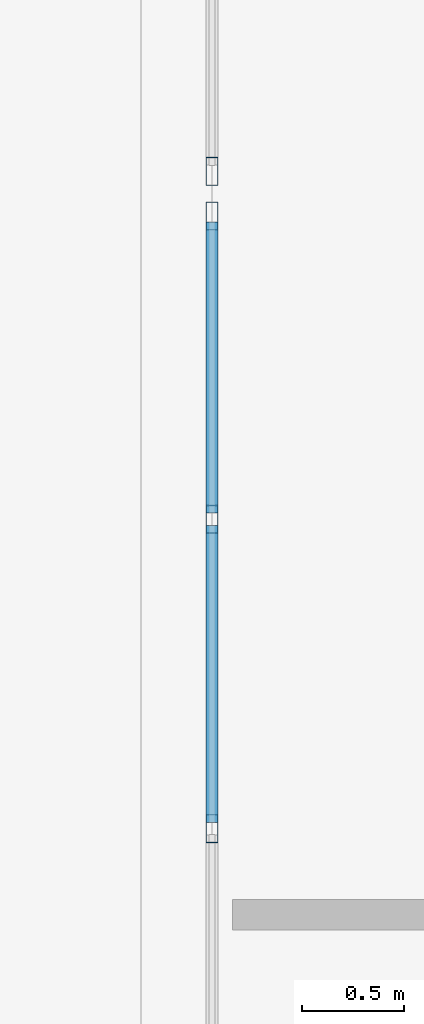
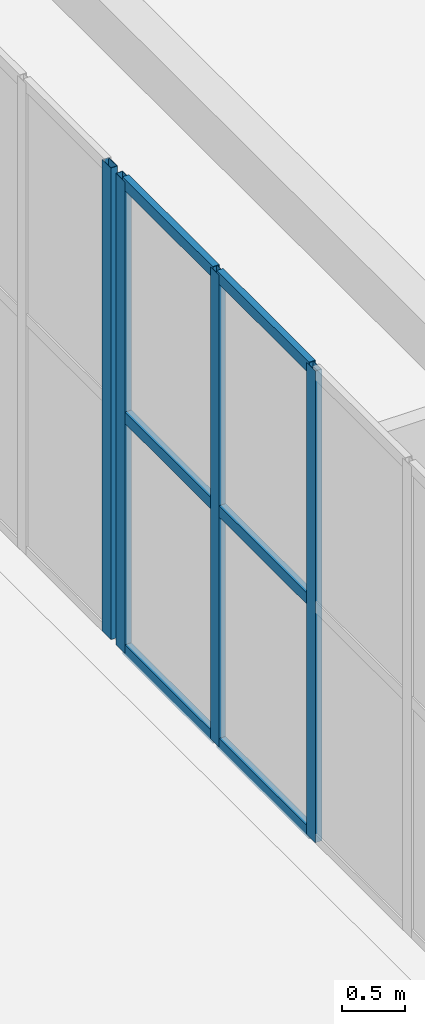
# One storey, part 54 of 158: 10 members, 2 elements without a shape of their own.
"""IFC4 building model written with IfcOpenShell, lengths in metres."""

from ifc_helpers import new_model, si_unit, direction, frame, origin, origin_2d, place, context, subcontext, project, spatial, hollow_rectangle, extrude, material, layer, layer_set, material_profile, profile_set, type_object, element, aggregate, save


model = new_model("IFC4")

# Units and contexts
model_context = context("Model", 3, precision=1e-05, world=origin(), true_north=direction((0.0, 1.0)))
body_context = subcontext(model_context, "Body", "Model", "MODEL_VIEW")
ifc_project = project(units=[si_unit("LENGTHUNIT", "METRE"), si_unit("AREAUNIT", "SQUARE_METRE"), si_unit("VOLUMEUNIT", "CUBIC_METRE"), si_unit("PLANEANGLEUNIT", "RADIAN"), si_unit("MASSUNIT", "GRAM", prefix="KILO")], contexts=[model_context])

# Site, building, storey
site_placement = place(None, origin())
site = spatial("IfcSite", under=ifc_project, at=site_placement, CompositionType="ELEMENT")
building_placement = place(site_placement, origin())
building = spatial("IfcBuilding", under=site, at=building_placement, Name="Trelvath General Hospital", CompositionType="ELEMENT")
storey_placement = place(building_placement, frame((0.0, 0.0, 8.10009765625)))
storey = spatial("IfcBuildingStorey", under=building, at=storey_placement, Name="L02", CompositionType="ELEMENT", Elevation=8.10009765625)

# Curtain wall, members
ifc_material_1 = material(Name="Anodised aluminium and low-E glass", Category="aluminium")
ifc_layer_1 = layer(ifc_material_1, 0.139892578125)
ifc_layer_set_1 = layer_set([ifc_layer_1], Name="Anodised aluminium and low-E glass")
curtain_wall_type_1 = type_object("IfcCurtainWallType", Name="CW CrystalCube 914 456 14", PredefinedType="USERDEFINED", material=ifc_layer_set_1)
curtain_wall_1_placement = place(storey_placement, origin())
curtain_wall_1 = element("IfcCurtainWall", 1, at=curtain_wall_1_placement, inside=storey, type_object=curtain_wall_type_1, Name="Crystal Cube Curtain Wall CUBE-W-T1 W5 L02", ObjectType="Unitised Glazed Curtain Wall", PredefinedType="USERDEFINED")
ifc_material_2 = material(Name="Anodised aluminium", Category="aluminium")
ifc_material_profile_1 = material_profile(ifc_material_2, hollow_rectangle(XDim=0.06005859375, YDim=0.139892578125, WallThickness=0.00390625, at=origin_2d()), Name="RHS60x140x4")
ifc_profile_set_1 = profile_set([ifc_material_profile_1], Name="Anodised aluminium")
member_type_1 = type_object("IfcMemberType", Name="CurtainMullion 60x140", PredefinedType="MULLION", material=ifc_profile_set_1)
member_1_placement = place(storey_placement, frame((53.199951171875, 64.0732421875, 0.0), z_axis=(0.0, 0.0, 1.0), x_axis=(-1.0, 0.0, 0.0)))
member_1 = element("IfcMember", 2, at=member_1_placement, type_object=member_type_1, Name="CW-200 mullion 5", PredefinedType="MULLION", context=body_context, shape_type="SweptSolid", body=[
    extrude(hollow_rectangle(XDim=0.06005859375, YDim=0.139892578125, WallThickness=0.00390625, at=origin_2d()), origin(), (0.0, 0.0, 1.0), 4.559814453125),
])
member_2_placement = place(storey_placement, frame((53.199951171875, 65.5966796875, 0.0), z_axis=(0.0, 0.0, 1.0), x_axis=(-1.0, 0.0, 0.0)))
member_2 = element("IfcMember", 3, at=member_2_placement, type_object=member_type_1, Name="CW-200 mullion 6", PredefinedType="MULLION", context=body_context, shape_type="SweptSolid", body=[
    extrude(hollow_rectangle(XDim=0.06005859375, YDim=0.139892578125, WallThickness=0.00390625, at=origin_2d()), origin(), (0.0, 0.0, 1.0), 4.559814453125),
])
member_3_placement = place(storey_placement, frame((53.199951171875, 67.090087890625, 0.0), z_axis=(0.0, 0.0, 1.0), x_axis=(-1.0, 0.0, 0.0)))
member_3 = element("IfcMember", 4, at=member_3_placement, type_object=member_type_1, Name="CW-200 mullion 7", PredefinedType="MULLION", context=body_context, shape_type="SweptSolid", body=[
    extrude(hollow_rectangle(XDim=0.06005859375, YDim=0.139892578125, WallThickness=0.00390625, at=origin_2d()), origin(), (0.0, 0.0, 1.0), 4.559814453125),
])

# Curtain wall, member
ifc_material_3 = material(Name="Anodised aluminium and low-E glass", Category="aluminium")
ifc_layer_2 = layer(ifc_material_3, 0.139892578125)
ifc_layer_set_2 = layer_set([ifc_layer_2], Name="Anodised aluminium and low-E glass")
curtain_wall_type_2 = type_object("IfcCurtainWallType", Name="CW CrystalCube 824 456 14", PredefinedType="USERDEFINED", material=ifc_layer_set_2)
curtain_wall_2_placement = place(storey_placement, origin())
curtain_wall_2 = element("IfcCurtainWall", 5, at=curtain_wall_2_placement, inside=storey, type_object=curtain_wall_type_2, Name="Crystal Cube Curtain Wall CUBE-W-T1 W6 L02", ObjectType="Unitised Glazed Curtain Wall", PredefinedType="USERDEFINED")
member_4_placement = place(storey_placement, frame((53.199951171875, 67.31005859375, 0.0), z_axis=(0.0, 0.0, 1.0), x_axis=(-1.0, 0.0, 0.0)))
member_4 = element("IfcMember", 6, at=member_4_placement, type_object=member_type_1, Name="CW-201 mullion 1", PredefinedType="MULLION", context=body_context, shape_type="SweptSolid", body=[
    extrude(hollow_rectangle(XDim=0.06005859375, YDim=0.139892578125, WallThickness=0.00390625, at=origin_2d()), origin(), (0.0, 0.0, 1.0), 4.559814453125),
])
aggregate(curtain_wall_2, [member_4])

# Member
ifc_material_4 = material(Name="Anodised aluminium", Category="aluminium")
ifc_material_profile_2 = material_profile(ifc_material_4, hollow_rectangle(XDim=0.06005859375, YDim=0.110107421875, WallThickness=0.00390625, at=origin_2d()), Name="RHS60x110x4")
ifc_profile_set_2 = profile_set([ifc_material_profile_2], Name="Anodised aluminium")
member_type_2 = type_object("IfcMemberType", Name="CurtainTransom 60x110", PredefinedType="USERDEFINED", material=ifc_profile_set_2)
member_5_placement = place(storey_placement, frame((53.199951171875, 64.103271484375, 0.02978515625), z_axis=(0.0, 1.0, 0.0), x_axis=(-1.0, 0.0, 0.0)))
member_5 = element("IfcMember", 7, at=member_5_placement, type_object=member_type_2, Name="CW-200 transom 5.1", ObjectType="TRANSOM", PredefinedType="USERDEFINED", context=body_context, shape_type="SweptSolid", body=[
    extrude(hollow_rectangle(XDim=0.06005859375, YDim=0.110107421875, WallThickness=0.00390625, at=origin_2d()), origin(), (0.0, 0.0, 1.0), 1.46337890625),
])

member_6_placement = place(storey_placement, frame((53.199951171875, 64.103271484375, 2.27978515625), z_axis=(0.0, 1.0, 0.0), x_axis=(-1.0, 0.0, 0.0)))
member_6 = element("IfcMember", 8, at=member_6_placement, type_object=member_type_2, Name="CW-200 transom 5.2", ObjectType="TRANSOM", PredefinedType="USERDEFINED", context=body_context, shape_type="SweptSolid", body=[
    extrude(hollow_rectangle(XDim=0.06005859375, YDim=0.110107421875, WallThickness=0.00390625, at=origin_2d()), origin(), (0.0, 0.0, 1.0), 1.46337890625),
])

member_7_placement = place(storey_placement, frame((53.199951171875, 64.103271484375, 4.52978515625), z_axis=(0.0, 1.0, 0.0), x_axis=(-1.0, 0.0, 0.0)))
member_7 = element("IfcMember", 9, at=member_7_placement, type_object=member_type_2, Name="CW-200 transom 5.3", ObjectType="TRANSOM", PredefinedType="USERDEFINED", context=body_context, shape_type="SweptSolid", body=[
    extrude(hollow_rectangle(XDim=0.06005859375, YDim=0.110107421875, WallThickness=0.00390625, at=origin_2d()), origin(), (0.0, 0.0, 1.0), 1.46337890625),
])

member_8_placement = place(storey_placement, frame((53.199951171875, 65.626708984375, 0.02978515625), z_axis=(0.0, 1.0, 0.0), x_axis=(-1.0, 0.0, 0.0)))
member_8 = element("IfcMember", 10, at=member_8_placement, type_object=member_type_2, Name="CW-200 transom 6.1", ObjectType="TRANSOM", PredefinedType="USERDEFINED", context=body_context, shape_type="SweptSolid", body=[
    extrude(hollow_rectangle(XDim=0.06005859375, YDim=0.110107421875, WallThickness=0.00390625, at=origin_2d()), origin(), (0.0, 0.0, 1.0), 1.433349609375),
])

member_9_placement = place(storey_placement, frame((53.199951171875, 65.626708984375, 2.27978515625), z_axis=(0.0, 1.0, 0.0), x_axis=(-1.0, 0.0, 0.0)))
member_9 = element("IfcMember", 11, at=member_9_placement, type_object=member_type_2, Name="CW-200 transom 6.2", ObjectType="TRANSOM", PredefinedType="USERDEFINED", context=body_context, shape_type="SweptSolid", body=[
    extrude(hollow_rectangle(XDim=0.06005859375, YDim=0.110107421875, WallThickness=0.00390625, at=origin_2d()), origin(), (0.0, 0.0, 1.0), 1.433349609375),
])

member_10_placement = place(storey_placement, frame((53.199951171875, 65.626708984375, 4.52978515625), z_axis=(0.0, 1.0, 0.0), x_axis=(-1.0, 0.0, 0.0)))
member_10 = element("IfcMember", 12, at=member_10_placement, type_object=member_type_2, Name="CW-200 transom 6.3", ObjectType="TRANSOM", PredefinedType="USERDEFINED", context=body_context, shape_type="SweptSolid", body=[
    extrude(hollow_rectangle(XDim=0.06005859375, YDim=0.110107421875, WallThickness=0.00390625, at=origin_2d()), origin(), (0.0, 0.0, 1.0), 1.433349609375),
])

aggregate(curtain_wall_1, [member_1, member_2, member_3, member_5, member_6, member_7, member_8, member_9, member_10])

save(model, "model.ifc")
